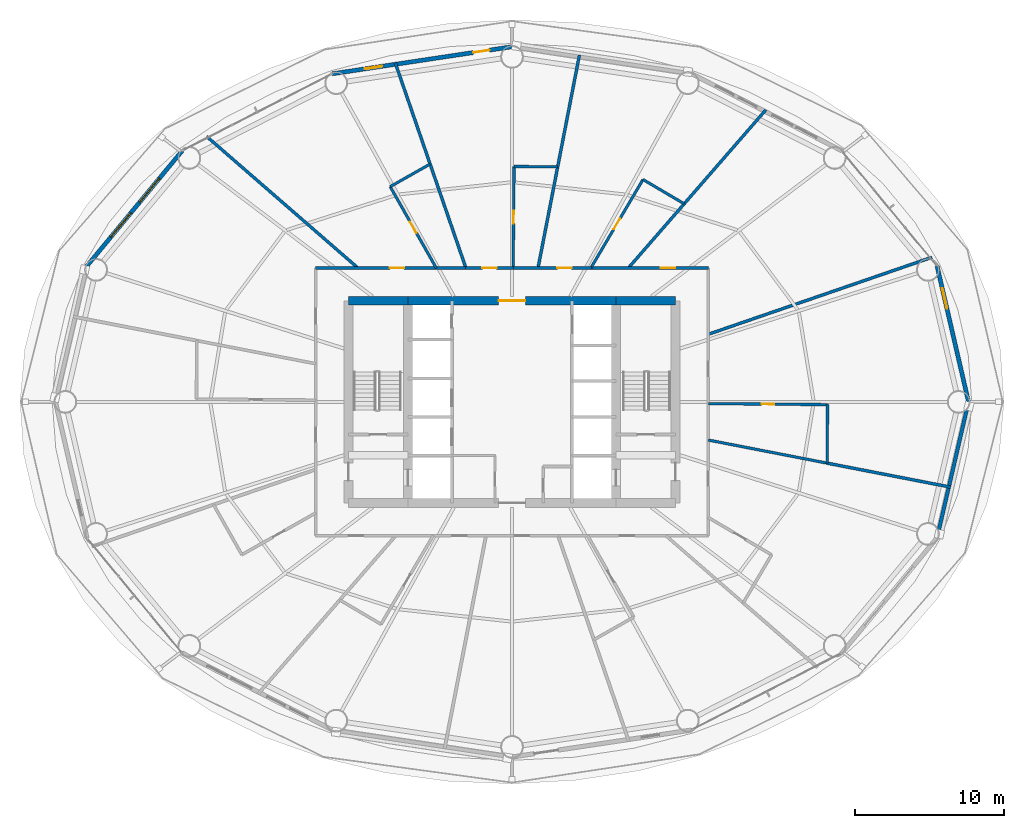
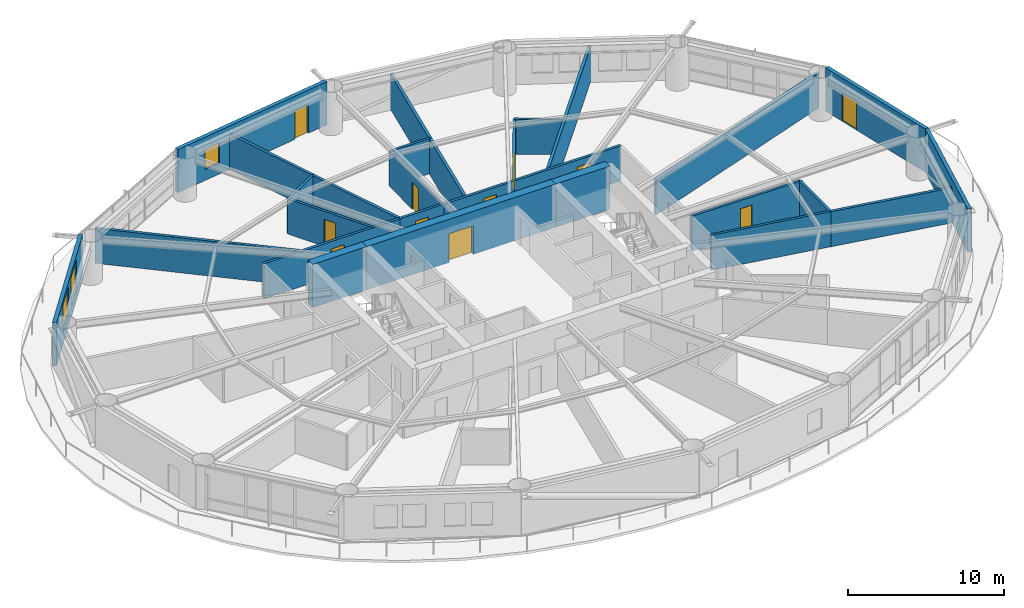
# One storey, part 22 of 26: 26 walls, 11 doors, 3 windows, 14 openings.
"""IFC4 building model written with IfcOpenShell, lengths in metres."""

from ifc_helpers import new_model, si_unit, direction, frame, frame_2d, origin, place, context, subcontext, project, spatial, rectangle, extrude, material, layer, layer_set, type_object, element, fill, save


model = new_model("IFC4")

# Units and contexts
model_context = context("Model", 3, precision=1e-05, world=origin(), true_north=direction((0.0, 1.0)))
body_context = subcontext(model_context, "Body", "Model", "MODEL_VIEW")
ifc_project = project(units=[si_unit("LENGTHUNIT", "METRE"), si_unit("AREAUNIT", "SQUARE_METRE"), si_unit("VOLUMEUNIT", "CUBIC_METRE"), si_unit("PLANEANGLEUNIT", "RADIAN"), si_unit("MASSUNIT", "GRAM", prefix="KILO")], contexts=[model_context])

# Site, building, storey
site_placement = place(None, origin())
site = spatial("IfcSite", under=ifc_project, at=site_placement, CompositionType="ELEMENT")
building_placement = place(site_placement, origin())
building = spatial("IfcBuilding", under=site, at=building_placement, Name="Sarneth Arch Tower", CompositionType="ELEMENT")
storey_placement = place(building_placement, frame((0.0, 0.0, 71.39990234375)))
storey = spatial("IfcBuildingStorey", under=building, at=storey_placement, Name="L17", CompositionType="ELEMENT", Elevation=71.39990234375)

# Wall
ifc_material_1 = material(Name="Concrete C60/75", Category="concrete")
ifc_layer_1 = layer(ifc_material_1, 0.60009765625)
ifc_layer_set_1 = layer_set([ifc_layer_1], Name="Concrete C60/75")
wall_type_1 = type_object("IfcWallType", Name="WALL-CORE-600", PredefinedType="SHEAR", material=ifc_layer_set_1)
wall_1_placement = place(storey_placement, frame((37.0, 48.800048828125, 0.0), z_axis=(0.0, 0.0, 1.0), x_axis=(1.0, 0.0, 0.0)))
element("IfcWall", 1, at=wall_1_placement, inside=storey, type_object=wall_type_1, Name="L17 Core shear wall N-W", PredefinedType="SHEAR", context=body_context, shape_type="SweptSolid", body=[
    extrude(rectangle(XDim=4.0, YDim=0.60009765625, at=frame_2d((2.0, 0.0))), origin(), (0.0, 0.0, 1.0), 3.380126953125),
])

# Wall, opening, door
wall_2_placement = place(storey_placement, frame((41.0, 48.800048828125, 0.0), z_axis=(0.0, 0.0, 1.0), x_axis=(1.0, 0.0, 0.0)))
wall_2 = element("IfcWall", 2, at=wall_2_placement, inside=storey, type_object=wall_type_1, Name="L17 Core shear wall N-M", PredefinedType="SHEAR", context=body_context, shape_type="SweptSolid", body=[
    extrude(rectangle(XDim=14.0, YDim=0.60009765625, at=frame_2d((7.0, 0.0))), origin(), (0.0, 0.0, 1.0), 3.380126953125),
])
opening_1_placement = place(wall_2_placement, frame((6.10009765625, 0.0, 0.0)))
opening_1 = element("IfcOpeningElement", 3, at=opening_1_placement, cuts=wall_2, Name="Opening FD-01", PredefinedType="OPENING", context=body_context, shape_type="SweptSolid", body=[
    extrude(rectangle(XDim=1.800048828125, YDim=2.25, at=frame_2d((0.89990234375, 1.125))), frame((0.0, 0.31005859375, 0.0), z_axis=(0.0, -1.0, 0.0), x_axis=(1.0, 0.0, 0.0)), (0.0, 0.0, 1.0), 0.6201171875),
])
ifc_material_2 = material(Name="Galvanised Steel S275 fire door set", Category="steel")
door_type_1 = type_object("IfcDoorType", Name="DR-FD90-1800", OperationType="DOUBLE_DOOR_SINGLE_SWING", PredefinedType="DOOR", material=ifc_material_2)
door_1_placement = place(opening_1_placement, origin())
door_1 = element("IfcDoor", 4, at=door_1_placement, inside=storey, type_object=door_type_1, Name="L17 Central lift lobby north door", OperationType="DOUBLE_DOOR_SINGLE_SWING", OverallHeight=2.25, OverallWidth=1.800048828125, PredefinedType="DOOR", context=body_context, shape_type="SweptSolid", body=[
    extrude(rectangle(XDim=1.800048828125, YDim=2.25, at=frame_2d((0.89990234375, 1.125))), frame((0.0, 0.02490234375, 0.0), z_axis=(0.0, -1.0, 0.0), x_axis=(1.0, 0.0, 0.0)), (0.0, 0.0, 1.0), 0.050048828125),
])
fill(opening_1, door_1)

# Wall
wall_3_placement = place(storey_placement, frame((55.0, 48.800048828125, 0.0), z_axis=(0.0, 0.0, 1.0), x_axis=(1.0, 0.0, 0.0)))
element("IfcWall", 5, at=wall_3_placement, inside=storey, type_object=wall_type_1, Name="L17 Core shear wall N-E", PredefinedType="SHEAR", context=body_context, shape_type="SweptSolid", body=[
    extrude(rectangle(XDim=4.0, YDim=0.60009765625, at=frame_2d((2.0, 0.0))), origin(), (0.0, 0.0, 1.0), 3.380126953125),
])

# Wall, opening, door
ifc_material_3 = material(Name="Double steel-stud corridor fire wall", Category="steel")
ifc_layer_2 = layer(ifc_material_3, 0.18994140625)
ifc_layer_set_2 = layer_set([ifc_layer_2], Name="Double steel-stud corridor fire wall")
wall_type_2 = type_object("IfcWallType", Name="WALL-CORR-190", PredefinedType="PARTITIONING", material=ifc_layer_set_2)
wall_4_placement = place(storey_placement, frame((53.264404296875, 51.0, 0.0), z_axis=(0.0, 0.0, 1.0), x_axis=(1.0, 0.0, 0.0)))
wall_4 = element("IfcWall", 6, at=wall_4_placement, inside=storey, type_object=wall_type_2, Name="L17 Interior partition W-L17-TP-001", PredefinedType="PARTITIONING", context=body_context, shape_type="SweptSolid", body=[
    extrude(rectangle(XDim=7.935546875, YDim=0.18994140625, at=frame_2d((3.9677734375, 0.0))), origin(), (0.0, 0.0, 1.0), 2.739990234375),
])
opening_2_placement = place(wall_4_placement, frame((4.726318359375, 0.0, 0.0)))
opening_2 = element("IfcOpeningElement", 7, at=opening_2_placement, cuts=wall_4, Name="Opening FD-08", PredefinedType="OPENING", context=body_context, shape_type="SweptSolid", body=[
    extrude(rectangle(XDim=1.0, YDim=2.199951171875, at=frame_2d((0.5, 1.10009765625))), frame((0.0, 0.10498046875, 0.0), z_axis=(0.0, -1.0, 0.0), x_axis=(1.0, 0.0, 0.0)), (0.0, 0.0, 1.0), 0.2099609375),
])
ifc_material_4 = material(Name="Hardwood timber acoustic fire door", Category="wood")
door_type_2 = type_object("IfcDoorType", Name="DR-FD60-1000", OperationType="SINGLE_SWING_LEFT", PredefinedType="DOOR", material=ifc_material_4)
door_2_placement = place(opening_2_placement, origin())
door_2 = element("IfcDoor", 8, at=door_2_placement, inside=storey, type_object=door_type_2, Name="L17 Interior door DR-L17-AMN-01", OperationType="SINGLE_SWING_LEFT", OverallHeight=2.199951171875, OverallWidth=1.0, PredefinedType="DOOR", context=body_context, shape_type="SweptSolid", body=[
    extrude(rectangle(XDim=1.0, YDim=2.199951171875, at=frame_2d((0.5, 1.10009765625))), frame((0.0, 0.02490234375, 0.0), z_axis=(0.0, -1.0, 0.0), x_axis=(1.0, 0.0, 0.0)), (0.0, 0.0, 1.0), 0.050048828125),
])
fill(opening_2, door_2)

wall_5_placement = place(storey_placement, frame((34.800048828125, 51.0, 0.0), z_axis=(0.0, 0.0, 1.0), x_axis=(1.0, 0.0, 0.0)))
wall_5 = element("IfcWall", 9, at=wall_5_placement, inside=storey, type_object=wall_type_2, Name="L17 Interior partition W-L17-TP-007", PredefinedType="PARTITIONING", context=body_context, shape_type="SweptSolid", body=[
    extrude(rectangle(XDim=10.134765625, YDim=0.18994140625, at=frame_2d((5.0673828125, 0.0))), origin(), (0.0, 0.0, 1.0), 2.739990234375),
])
opening_3_placement = place(wall_5_placement, frame((4.996337890625, 0.0, 0.0)))
opening_3 = element("IfcOpeningElement", 10, at=opening_3_placement, cuts=wall_5, Name="Opening FD-09", PredefinedType="OPENING", context=body_context, shape_type="SweptSolid", body=[
    extrude(rectangle(XDim=0.949951171875, YDim=2.14990234375, at=frame_2d((0.47509765625, 1.074951171875))), frame((0.0, 0.10498046875, 0.0), z_axis=(0.0, -1.0, 0.0), x_axis=(1.0, 0.0, 0.0)), (0.0, 0.0, 1.0), 0.2099609375),
])
ifc_material_5 = material(Name="Hardwood timber hotel entrance fire door", Category="wood")
door_type_3 = type_object("IfcDoorType", Name="DR-FD60-950", OperationType="SINGLE_SWING_RIGHT", PredefinedType="DOOR", material=ifc_material_5)
door_3_placement = place(opening_3_placement, origin())
door_3 = element("IfcDoor", 11, at=door_3_placement, inside=storey, type_object=door_type_3, Name="L17 Interior door DR-L17-KEY-04", OperationType="SINGLE_SWING_LEFT", OverallHeight=2.14990234375, OverallWidth=0.949951171875, PredefinedType="DOOR", context=body_context, shape_type="SweptSolid", body=[
    extrude(rectangle(XDim=0.949951171875, YDim=2.14990234375, at=frame_2d((0.47509765625, 1.074951171875))), frame((0.0, 0.02490234375, 0.0), z_axis=(0.0, -1.0, 0.0), x_axis=(1.0, 0.0, 0.0)), (0.0, 0.0, 1.0), 0.050048828125),
])
fill(opening_3, door_3)

wall_6_placement = place(storey_placement, frame((48.04638671875, 51.0, 0.0), z_axis=(0.0, 0.0, 1.0), x_axis=(1.0, 0.0, 0.0)))
wall_6 = element("IfcWall", 12, at=wall_6_placement, inside=storey, type_object=wall_type_2, Name="L17 Interior partition W-L17-TP-003", PredefinedType="PARTITIONING", context=body_context, shape_type="SweptSolid", body=[
    extrude(rectangle(XDim=5.2919921875, YDim=0.18994140625, at=frame_2d((2.64599609375, 0.0))), origin(), (0.0, 0.0, 1.0), 2.739990234375),
])
opening_4_placement = place(wall_6_placement, frame((3.006103515625, 0.0, 0.0)))
opening_4 = element("IfcOpeningElement", 13, at=opening_4_placement, cuts=wall_6, Name="Opening FD-09", PredefinedType="OPENING", context=body_context, shape_type="SweptSolid", body=[
    extrude(rectangle(XDim=0.949951171875, YDim=2.14990234375, at=frame_2d((0.47509765625, 1.074951171875))), frame((0.0, 0.10498046875, 0.0), z_axis=(0.0, -1.0, 0.0), x_axis=(1.0, 0.0, 0.0)), (0.0, 0.0, 1.0), 0.2099609375),
])
door_4_placement = place(opening_4_placement, origin())
door_4 = element("IfcDoor", 14, at=door_4_placement, inside=storey, type_object=door_type_3, Name="L17 Interior door DR-L17-KEY-02", OperationType="SINGLE_SWING_LEFT", OverallHeight=2.14990234375, OverallWidth=0.949951171875, PredefinedType="DOOR", context=body_context, shape_type="SweptSolid", body=[
    extrude(rectangle(XDim=0.949951171875, YDim=2.14990234375, at=frame_2d((0.47509765625, 1.074951171875))), frame((0.0, 0.02490234375, 0.0), z_axis=(0.0, -1.0, 0.0), x_axis=(1.0, 0.0, 0.0)), (0.0, 0.0, 1.0), 0.050048828125),
])
fill(opening_4, door_4)

wall_7_placement = place(storey_placement, frame((44.8671875, 51.0, 0.0), z_axis=(0.0, 0.0, 1.0), x_axis=(1.0, 0.0, 0.0)))
wall_7 = element("IfcWall", 15, at=wall_7_placement, inside=storey, type_object=wall_type_2, Name="L17 Interior partition W-L17-TP-005", PredefinedType="PARTITIONING", context=body_context, shape_type="SweptSolid", body=[
    extrude(rectangle(XDim=3.243408203125, YDim=0.18994140625, at=frame_2d((1.62158203125, 0.0))), origin(), (0.0, 0.0, 1.0), 2.739990234375),
])
opening_5_placement = place(wall_7_placement, frame((1.146484375, 0.0, 0.0)))
opening_5 = element("IfcOpeningElement", 16, at=opening_5_placement, cuts=wall_7, Name="Opening FD-09", PredefinedType="OPENING", context=body_context, shape_type="SweptSolid", body=[
    extrude(rectangle(XDim=0.949951171875, YDim=2.14990234375, at=frame_2d((0.47509765625, 1.074951171875))), frame((0.0, 0.10498046875, 0.0), z_axis=(0.0, -1.0, 0.0), x_axis=(1.0, 0.0, 0.0)), (0.0, 0.0, 1.0), 0.2099609375),
])
door_5_placement = place(opening_5_placement, origin())
door_5 = element("IfcDoor", 17, at=door_5_placement, inside=storey, type_object=door_type_3, Name="L17 Interior door DR-L17-KEY-03", OperationType="SINGLE_SWING_LEFT", OverallHeight=2.14990234375, OverallWidth=0.949951171875, PredefinedType="DOOR", context=body_context, shape_type="SweptSolid", body=[
    extrude(rectangle(XDim=0.949951171875, YDim=2.14990234375, at=frame_2d((0.47509765625, 1.074951171875))), frame((0.0, 0.02490234375, 0.0), z_axis=(0.0, -1.0, 0.0), x_axis=(1.0, 0.0, 0.0)), (0.0, 0.0, 1.0), 0.050048828125),
])
fill(opening_5, door_5)

# Wall
ifc_material_6 = material(Name="Extruded terracotta rainscreen on Concrete C40/50 backing", Category="masonry")
ifc_layer_3 = layer(ifc_material_6, 0.25)
ifc_layer_set_3 = layer_set([ifc_layer_3], Name="Extruded terracotta rainscreen on Concrete C40/50 backing")
wall_type_3 = type_object("IfcWallType", Name="WALL-EXT-SPAND-250", PredefinedType="SOLIDWALL", material=ifc_layer_set_3)
wall_8_placement = place(storey_placement, frame((76.5810546875, 32.861572265625, 0.0), z_axis=(0.0, 0.0, 1.0), x_axis=(0.225454452941, 0.974253709076, 0.0)))
element("IfcWall", 18, at=wall_8_placement, inside=storey, type_object=wall_type_3, Name="L17 Terracotta perimeter wall 16", PredefinedType="SOLIDWALL", context=body_context, shape_type="SweptSolid", body=[
    extrude(rectangle(XDim=9.3798828125, YDim=0.25, at=frame_2d((4.68994140625, 0.0))), origin(), (0.0, 0.0, 1.0), 3.380126953125),
])

# Wall, opening, door
ifc_material_7 = material(Name="Extruded terracotta rainscreen on Concrete C40/50 backing", Category="masonry")
ifc_layer_4 = layer(ifc_material_7, 0.280029296875)
ifc_layer_set_4 = layer_set([ifc_layer_4], Name="Extruded terracotta rainscreen on Concrete C40/50 backing")
wall_type_4 = type_object("IfcWallType", Name="WALL-EXT-TERRA-280", PredefinedType="SOLIDWALL", material=ifc_layer_set_4)
wall_9_placement = place(storey_placement, frame((78.69580078125, 42.0, 0.0), z_axis=(0.0, 0.0, 1.0), x_axis=(-0.225454452941, 0.974253709076, 0.0)))
wall_9 = element("IfcWall", 19, at=wall_9_placement, inside=storey, type_object=wall_type_4, Name="L17 Terracotta perimeter wall 01", PredefinedType="SOLIDWALL", context=body_context, shape_type="SweptSolid", body=[
    extrude(rectangle(XDim=9.3798828125, YDim=0.280029296875, at=frame_2d((4.68994140625, 0.0))), origin(), (0.0, 0.0, 1.0), 3.380126953125),
])
opening_6_placement = place(wall_9_placement, frame((6.435302734375, 0.0, 0.0)))
opening_6 = element("IfcOpeningElement", 20, at=opening_6_placement, cuts=wall_9, Name="Opening BD-2", PredefinedType="OPENING", context=body_context, shape_type="SweptSolid", body=[
    extrude(rectangle(XDim=1.39990234375, YDim=2.199951171875, at=frame_2d((0.699951171875, 1.10009765625))), frame((0.0, 0.14990234375, 0.0), z_axis=(0.0, -1.0, 0.0), x_axis=(1.0, 0.0, 0.0)), (0.0, 0.0, 1.0), 0.300048828125),
])
ifc_material_8 = material(Name="Thermally broken Aluminium 6063-T6 and laminated safety glass", Category="aluminium")
door_type_4 = type_object("IfcDoorType", Name="DR-BALC-GLZ-1400", OperationType="SINGLE_SWING_LEFT", PredefinedType="DOOR", material=ifc_material_8)
door_6_placement = place(opening_6_placement, origin())
door_6 = element("IfcDoor", 21, at=door_6_placement, inside=storey, type_object=door_type_4, Name="L17 Balcony glazed door 01", OperationType="SINGLE_SWING_LEFT", OverallHeight=2.199951171875, OverallWidth=1.39990234375, PredefinedType="DOOR", context=body_context, shape_type="SweptSolid", body=[
    extrude(rectangle(XDim=1.39990234375, YDim=2.199951171875, at=frame_2d((0.699951171875, 1.10009765625))), frame((0.0, 0.02490234375, 0.0), z_axis=(0.0, -1.0, 0.0), x_axis=(1.0, 0.0, 0.0)), (0.0, 0.0, 1.0), 0.050048828125),
])
fill(opening_6, door_6)

# Wall, openings, door, window
wall_10_placement = place(storey_placement, frame((48.0, 65.8798828125, 0.0), z_axis=(0.0, 0.0, 1.0), x_axis=(-0.988864835849, -0.148816452121, 0.0)))
wall_10 = element("IfcWall", 22, at=wall_10_placement, inside=storey, type_object=wall_type_4, Name="L17 Terracotta perimeter wall 05", PredefinedType="SOLIDWALL", context=body_context, shape_type="SweptSolid", body=[
    extrude(rectangle(XDim=12.2138671875, YDim=0.280029296875, at=frame_2d((6.10693359375, 0.0))), origin(), (0.0, 0.0, 1.0), 3.380126953125),
])
opening_7_placement = place(wall_10_placement, frame((1.53125, 0.0, 0.0)))
opening_7 = element("IfcOpeningElement", 23, at=opening_7_placement, cuts=wall_10, Name="Opening BD-3", PredefinedType="OPENING", context=body_context, shape_type="SweptSolid", body=[
    extrude(rectangle(XDim=1.10009765625, YDim=2.25, at=frame_2d((0.550048828125, 1.125))), frame((0.0, 0.14990234375, 0.0), z_axis=(0.0, -1.0, 0.0), x_axis=(1.0, 0.0, 0.0)), (0.0, 0.0, 1.0), 0.300048828125),
])
opening_8_placement = place(wall_10_placement, frame((8.813720703125, 0.0, 0.85009765625)))
opening_8 = element("IfcOpeningElement", 24, at=opening_8_placement, cuts=wall_10, Name="Opening W-10", PredefinedType="OPENING", context=body_context, shape_type="SweptSolid", body=[
    extrude(rectangle(XDim=1.199951171875, YDim=1.60009765625, at=frame_2d((0.60009765625, 0.800048828125))), frame((0.0, 0.14990234375, 0.0), z_axis=(0.0, -1.0, 0.0), x_axis=(1.0, 0.0, 0.0)), (0.0, 0.0, 1.0), 0.300048828125),
])
ifc_material_9 = material(Name="Thermally broken Aluminium 6063-T6 and laminated safety glass", Category="aluminium")
door_type_5 = type_object("IfcDoorType", Name="DR-BALC-GLZ-1100", OperationType="SINGLE_SWING_LEFT", PredefinedType="DOOR", material=ifc_material_9)
door_7_placement = place(opening_7_placement, origin())
door_7 = element("IfcDoor", 25, at=door_7_placement, inside=storey, type_object=door_type_5, Name="L17 Balcony glazed door 05", OperationType="SINGLE_SWING_LEFT", OverallHeight=2.25, OverallWidth=1.10009765625, PredefinedType="DOOR", context=body_context, shape_type="SweptSolid", body=[
    extrude(rectangle(XDim=1.10009765625, YDim=2.25, at=frame_2d((0.550048828125, 1.125))), frame((0.0, 0.02490234375, 0.0), z_axis=(0.0, -1.0, 0.0), x_axis=(1.0, 0.0, 0.0)), (0.0, 0.0, 1.0), 0.050048828125),
])
fill(opening_7, door_7)
ifc_material_10 = material(Name="Thermally broken Aluminium 6063-T6 and low-e laminated IGU", Category="aluminium")
window_type_1 = type_object("IfcWindowType", Name="WIN-TWR-1200x1600", PartitioningType="SINGLE_PANEL", PredefinedType="WINDOW", material=ifc_material_10)
window_1_placement = place(opening_8_placement, origin())
window_1 = element("IfcWindow", 26, at=window_1_placement, inside=storey, type_object=window_type_1, Name="L17 Exterior window 05A", OverallHeight=1.60009765625, OverallWidth=1.199951171875, PartitioningType="SINGLE_PANEL", PredefinedType="WINDOW", context=body_context, shape_type="SweptSolid", body=[
    extrude(rectangle(XDim=1.199951171875, YDim=1.60009765625, at=frame_2d((0.60009765625, 0.800048828125))), frame((0.0, 0.030029296875, 0.0), z_axis=(0.0, -1.0, 0.0), x_axis=(1.0, 0.0, 0.0)), (0.0, 0.0, 1.0), 0.06005859375),
])
fill(opening_8, window_1)

# Wall, openings, windows
wall_11_placement = place(storey_placement, frame((25.825927734375, 58.8857421875, 0.0), z_axis=(0.0, 0.0, 1.0), x_axis=(-0.637296809613, -0.770618437657, 0.0)))
wall_11 = element("IfcWall", 27, at=wall_11_placement, inside=storey, type_object=wall_type_4, Name="L17 Terracotta perimeter wall 07", PredefinedType="SOLIDWALL", context=body_context, shape_type="SweptSolid", body=[
    extrude(rectangle(XDim=10.053466796875, YDim=0.280029296875, at=frame_2d((5.02685546875, 0.0))), origin(), (0.0, 0.0, 1.0), 3.380126953125),
])
opening_9_placement = place(wall_11_placement, frame((2.39794921875, 0.0, 0.85009765625)))
opening_9 = element("IfcOpeningElement", 28, at=opening_9_placement, cuts=wall_11, Name="Opening W-03", PredefinedType="OPENING", context=body_context, shape_type="SweptSolid", body=[
    extrude(rectangle(XDim=2.10009765625, YDim=2.199951171875, at=frame_2d((1.050048828125, 1.10009765625))), frame((0.0, 0.14990234375, 0.0), z_axis=(0.0, -1.0, 0.0), x_axis=(1.0, 0.0, 0.0)), (0.0, 0.0, 1.0), 0.300048828125),
])
opening_10_placement = place(wall_11_placement, frame((5.4296875, 0.0, 0.85009765625)))
opening_10 = element("IfcOpeningElement", 29, at=opening_10_placement, cuts=wall_11, Name="Opening W-03", PredefinedType="OPENING", context=body_context, shape_type="SweptSolid", body=[
    extrude(rectangle(XDim=2.10009765625, YDim=2.199951171875, at=frame_2d((1.050048828125, 1.10009765625))), frame((0.0, 0.14990234375, 0.0), z_axis=(0.0, -1.0, 0.0), x_axis=(1.0, 0.0, 0.0)), (0.0, 0.0, 1.0), 0.300048828125),
])
ifc_material_11 = material(Name="Thermally broken Aluminium 6063-T6 and low-e laminated IGU", Category="aluminium")
window_type_2 = type_object("IfcWindowType", Name="WIN-TWR-2100x2200", PartitioningType="DOUBLE_PANEL_VERTICAL", PredefinedType="WINDOW", material=ifc_material_11)
window_2_placement = place(opening_9_placement, origin())
window_2 = element("IfcWindow", 30, at=window_2_placement, inside=storey, type_object=window_type_2, Name="L17 Exterior window 07A", OverallHeight=2.199951171875, OverallWidth=2.10009765625, PartitioningType="SINGLE_PANEL", PredefinedType="WINDOW", context=body_context, shape_type="SweptSolid", body=[
    extrude(rectangle(XDim=2.10009765625, YDim=2.199951171875, at=frame_2d((1.050048828125, 1.10009765625))), frame((0.0, 0.030029296875, 0.0), z_axis=(0.0, -1.0, 0.0), x_axis=(1.0, 0.0, 0.0)), (0.0, 0.0, 1.0), 0.06005859375),
])
fill(opening_9, window_2)
window_3_placement = place(opening_10_placement, origin())
window_3 = element("IfcWindow", 31, at=window_3_placement, inside=storey, type_object=window_type_2, Name="L17 Exterior window 07B", OverallHeight=2.199951171875, OverallWidth=2.10009765625, PartitioningType="SINGLE_PANEL", PredefinedType="WINDOW", context=body_context, shape_type="SweptSolid", body=[
    extrude(rectangle(XDim=2.10009765625, YDim=2.199951171875, at=frame_2d((1.050048828125, 1.10009765625))), frame((0.0, 0.030029296875, 0.0), z_axis=(0.0, -1.0, 0.0), x_axis=(1.0, 0.0, 0.0)), (0.0, 0.0, 1.0), 0.06005859375),
])
fill(opening_10, window_3)

# Wall
ifc_material_12 = material(Name="Moisture-resistant plumbing chase wall", Category="gypsum")
ifc_layer_5 = layer(ifc_material_12, 0.179931640625)
ifc_layer_set_5 = layer_set([ifc_layer_5], Name="Moisture-resistant plumbing chase wall")
wall_type_5 = type_object("IfcWallType", Name="WALL-PLUMB-180", PredefinedType="PLUMBINGWALL", material=ifc_layer_set_5)
wall_12_placement = place(storey_placement, frame((69.185302734375, 37.882080078125, 0.0), z_axis=(0.0, 0.0, 1.0), x_axis=(-0.981631630513, 0.190786115787, 0.0)))
element("IfcWall", 32, at=wall_12_placement, inside=storey, type_object=wall_type_5, Name="L17 Interior partition W-L17-TP-062", PredefinedType="PLUMBINGWALL", context=body_context, shape_type="SweptSolid", body=[
    extrude(rectangle(XDim=8.134765625, YDim=0.179931640625, at=frame_2d((4.0673828125, 0.0))), origin(), (0.0, 0.0, 1.0), 2.739990234375),
])

# Wall, opening, door
wall_13_placement = place(storey_placement, frame((61.199951171875, 41.884765625, 0.0), z_axis=(0.0, 0.0, 1.0), x_axis=(0.999961832732, -0.008736880358, 0.0)))
wall_13 = element("IfcWall", 33, at=wall_13_placement, inside=storey, type_object=wall_type_5, Name="L17 Interior partition W-L17-TP-063", PredefinedType="PLUMBINGWALL", context=body_context, shape_type="SweptSolid", body=[
    extrude(rectangle(XDim=8.019775390625, YDim=0.179931640625, at=frame_2d((4.009765625, 0.0))), origin(), (0.0, 0.0, 1.0), 2.739990234375),
])
opening_11_placement = place(wall_13_placement, frame((3.5849609375, 0.0, 0.0)))
opening_11 = element("IfcOpeningElement", 34, at=opening_11_placement, cuts=wall_13, Name="Opening ID-02", PredefinedType="OPENING", context=body_context, shape_type="SweptSolid", body=[
    extrude(rectangle(XDim=0.85009765625, YDim=2.10009765625, at=frame_2d((0.425048828125, 1.050048828125))), frame((0.0, 0.099853515625, 0.0), z_axis=(0.0, -1.0, 0.0), x_axis=(1.0, 0.0, 0.0)), (0.0, 0.0, 1.0), 0.199951171875),
])
ifc_material_13 = material(Name="Moisture-resistant bathroom timber door", Category="wood")
door_type_6 = type_object("IfcDoorType", Name="DR-INT-850", OperationType="SINGLE_SWING_RIGHT", PredefinedType="DOOR", material=ifc_material_13)
door_8_placement = place(opening_11_placement, origin())
door_8 = element("IfcDoor", 35, at=door_8_placement, inside=storey, type_object=door_type_6, Name="L17 Interior door DR-L17-ENS-12", OperationType="SINGLE_SWING_LEFT", OverallHeight=2.10009765625, OverallWidth=0.85009765625, PredefinedType="DOOR", context=body_context, shape_type="SweptSolid", body=[
    extrude(rectangle(XDim=0.85009765625, YDim=2.10009765625, at=frame_2d((0.425048828125, 1.050048828125))), frame((0.0, 0.02490234375, 0.0), z_axis=(0.0, -1.0, 0.0), x_axis=(1.0, 0.0, 0.0)), (0.0, 0.0, 1.0), 0.050048828125),
])
fill(opening_11, door_8)

wall_14_placement = place(storey_placement, frame((56.807373046875, 56.951904296875, 0.0), z_axis=(0.0, 0.0, 1.0), x_axis=(-0.507529744585, -0.861634236995, 0.0)))
wall_14 = element("IfcWall", 36, at=wall_14_placement, inside=storey, type_object=wall_type_5, Name="L17 Interior partition W-L17-TP-030", PredefinedType="PLUMBINGWALL", context=body_context, shape_type="SweptSolid", body=[
    extrude(rectangle(XDim=6.90771484375, YDim=0.179931640625, at=frame_2d((3.453857421875, 0.0))), origin(), (0.0, 0.0, 1.0), 2.739990234375),
])
opening_12_placement = place(wall_14_placement, frame((3.02880859375, 0.0, 0.0)))
opening_12 = element("IfcOpeningElement", 37, at=opening_12_placement, cuts=wall_14, Name="Opening ID-02", PredefinedType="OPENING", context=body_context, shape_type="SweptSolid", body=[
    extrude(rectangle(XDim=0.85009765625, YDim=2.10009765625, at=frame_2d((0.425048828125, 1.050048828125))), frame((0.0, 0.099853515625, 0.0), z_axis=(0.0, -1.0, 0.0), x_axis=(1.0, 0.0, 0.0)), (0.0, 0.0, 1.0), 0.199951171875),
])
door_9_placement = place(opening_12_placement, origin())
door_9 = element("IfcDoor", 38, at=door_9_placement, inside=storey, type_object=door_type_6, Name="L17 Interior door DR-L17-ENS-02", OperationType="SINGLE_SWING_LEFT", OverallHeight=2.10009765625, OverallWidth=0.85009765625, PredefinedType="DOOR", context=body_context, shape_type="SweptSolid", body=[
    extrude(rectangle(XDim=0.85009765625, YDim=2.10009765625, at=frame_2d((0.425048828125, 1.050048828125))), frame((0.0, 0.02490234375, 0.0), z_axis=(0.0, -1.0, 0.0), x_axis=(1.0, 0.0, 0.0)), (0.0, 0.0, 1.0), 0.050048828125),
])
fill(opening_12, door_9)

wall_15_placement = place(storey_placement, frame((48.13818359375, 57.830322265625, 0.0), z_axis=(0.0, 0.0, 1.0), x_axis=(-0.008721118088, -0.999961970327, 0.0)))
wall_15 = element("IfcWall", 39, at=wall_15_placement, inside=storey, type_object=wall_type_5, Name="L17 Interior partition W-L17-TP-034", PredefinedType="PLUMBINGWALL", context=body_context, shape_type="SweptSolid", body=[
    extrude(rectangle(XDim=6.83056640625, YDim=0.179931640625, at=frame_2d((3.415283203125, 0.0))), origin(), (0.0, 0.0, 1.0), 2.739990234375),
])
opening_13_placement = place(wall_15_placement, frame((2.990234375, 0.0, 0.0)))
opening_13 = element("IfcOpeningElement", 40, at=opening_13_placement, cuts=wall_15, Name="Opening ID-02", PredefinedType="OPENING", context=body_context, shape_type="SweptSolid", body=[
    extrude(rectangle(XDim=0.85009765625, YDim=2.10009765625, at=frame_2d((0.425048828125, 1.050048828125))), frame((0.0, 0.099853515625, 0.0), z_axis=(0.0, -1.0, 0.0), x_axis=(1.0, 0.0, 0.0)), (0.0, 0.0, 1.0), 0.199951171875),
])
door_10_placement = place(opening_13_placement, origin())
door_10 = element("IfcDoor", 41, at=door_10_placement, inside=storey, type_object=door_type_6, Name="L17 Interior door DR-L17-ENS-03", OperationType="SINGLE_SWING_LEFT", OverallHeight=2.10009765625, OverallWidth=0.85009765625, PredefinedType="DOOR", context=body_context, shape_type="SweptSolid", body=[
    extrude(rectangle(XDim=0.85009765625, YDim=2.10009765625, at=frame_2d((0.425048828125, 1.050048828125))), frame((0.0, 0.02490234375, 0.0), z_axis=(0.0, -1.0, 0.0), x_axis=(1.0, 0.0, 0.0)), (0.0, 0.0, 1.0), 0.050048828125),
])
fill(opening_13, door_10)

wall_16_placement = place(storey_placement, frame((39.811279296875, 56.473388671875, 0.0), z_axis=(0.0, 0.0, 1.0), x_axis=(0.492421798109, -0.870356692826, 0.0)))
wall_16 = element("IfcWall", 42, at=wall_16_placement, inside=storey, type_object=wall_type_5, Name="L17 Interior partition W-L17-TP-038", PredefinedType="PLUMBINGWALL", context=body_context, shape_type="SweptSolid", body=[
    extrude(rectangle(XDim=6.28857421875, YDim=0.179931640625, at=frame_2d((3.144287109375, 0.0))), origin(), (0.0, 0.0, 1.0), 2.739990234375),
])
opening_14_placement = place(wall_16_placement, frame((2.719482421875, 0.0, 0.0)))
opening_14 = element("IfcOpeningElement", 43, at=opening_14_placement, cuts=wall_16, Name="Opening ID-02", PredefinedType="OPENING", context=body_context, shape_type="SweptSolid", body=[
    extrude(rectangle(XDim=0.85009765625, YDim=2.10009765625, at=frame_2d((0.425048828125, 1.050048828125))), frame((0.0, 0.099853515625, 0.0), z_axis=(0.0, -1.0, 0.0), x_axis=(1.0, 0.0, 0.0)), (0.0, 0.0, 1.0), 0.199951171875),
])
door_11_placement = place(opening_14_placement, origin())
door_11 = element("IfcDoor", 44, at=door_11_placement, inside=storey, type_object=door_type_6, Name="L17 Interior door DR-L17-ENS-04", OperationType="SINGLE_SWING_LEFT", OverallHeight=2.10009765625, OverallWidth=0.85009765625, PredefinedType="DOOR", context=body_context, shape_type="SweptSolid", body=[
    extrude(rectangle(XDim=0.85009765625, YDim=2.10009765625, at=frame_2d((0.425048828125, 1.050048828125))), frame((0.0, 0.02490234375, 0.0), z_axis=(0.0, -1.0, 0.0), x_axis=(1.0, 0.0, 0.0)), (0.0, 0.0, 1.0), 0.050048828125),
])
fill(opening_14, door_11)

# Walls
wall_17_placement = place(storey_placement, frame((69.219482421875, 41.814697265625, 0.0), z_axis=(0.0, 0.0, 1.0), x_axis=(-0.008691005249, -0.999962232501, 0.0)))
element("IfcWall", 45, at=wall_17_placement, inside=storey, type_object=wall_type_5, Name="L17 Interior partition W-L17-TP-064", PredefinedType="PLUMBINGWALL", context=body_context, shape_type="SweptSolid", body=[
    extrude(rectangle(XDim=3.932861328125, YDim=0.179931640625, at=frame_2d((1.96630859375, 0.0))), origin(), (0.0, 0.0, 1.0), 2.739990234375),
])
wall_18_placement = place(storey_placement, frame((59.57861328125, 55.319580078125, 0.0), z_axis=(0.0, 0.0, 1.0), x_axis=(-0.861637458593, 0.507524275232, 0.0)))
element("IfcWall", 46, at=wall_18_placement, inside=storey, type_object=wall_type_5, Name="L17 Interior partition W-L17-TP-029", PredefinedType="PLUMBINGWALL", context=body_context, shape_type="SweptSolid", body=[
    extrude(rectangle(XDim=3.21630859375, YDim=0.179931640625, at=frame_2d((1.608154296875, 0.0))), origin(), (0.0, 0.0, 1.0), 2.739990234375),
])
wall_19_placement = place(storey_placement, frame((42.493896484375, 57.9912109375, 0.0), z_axis=(0.0, 0.0, 1.0), x_axis=(-0.87034589465, -0.492440883422, 0.0)))
element("IfcWall", 47, at=wall_19_placement, inside=storey, type_object=wall_type_5, Name="L17 Interior partition W-L17-TP-037", PredefinedType="PLUMBINGWALL", context=body_context, shape_type="SweptSolid", body=[
    extrude(rectangle(XDim=3.082275390625, YDim=0.179931640625, at=frame_2d((1.541015625, 0.0))), origin(), (0.0, 0.0, 1.0), 2.739990234375),
])
wall_20_placement = place(storey_placement, frame((51.072021484375, 57.8046875, 0.0), z_axis=(0.0, 0.0, 1.0), x_axis=(-0.999961829169, 0.00873728818, 0.0)))
element("IfcWall", 48, at=wall_20_placement, inside=storey, type_object=wall_type_5, Name="L17 Interior partition W-L17-TP-033", PredefinedType="PLUMBINGWALL", context=body_context, shape_type="SweptSolid", body=[
    extrude(rectangle(XDim=2.933837890625, YDim=0.179931640625, at=frame_2d((1.466796875, 0.0))), origin(), (0.0, 0.0, 1.0), 2.739990234375),
])
ifc_material_14 = material(Name="Double steel-stud acoustic drywall", Category="steel")
ifc_layer_6 = layer(ifc_material_14, 0.199951171875)
ifc_layer_set_6 = layer_set([ifc_layer_6], Name="Double steel-stud acoustic drywall")
wall_type_6 = type_object("IfcWallType", Name="WALL-UNIT-200", PredefinedType="PARTITIONING", material=ifc_layer_set_6)
wall_21_placement = place(storey_placement, frame((61.199951171875, 46.545166015625, 0.0), z_axis=(0.0, 0.0, 1.0), x_axis=(0.945518845989, 0.325567369186, 0.0)))
element("IfcWall", 49, at=wall_21_placement, inside=storey, type_object=wall_type_6, Name="L17 Interior partition W-L17-TP-028", PredefinedType="PARTITIONING", context=body_context, shape_type="SweptSolid", body=[
    extrude(rectangle(XDim=15.908935546875, YDim=0.199951171875, at=frame_2d((7.95458984375, 0.0))), origin(), (0.0, 0.0, 1.0), 2.739990234375),
])
wall_22_placement = place(storey_placement, frame((37.646728515625, 51.0, 0.0), z_axis=(0.0, 0.0, 1.0), x_axis=(-0.754713815472, 0.656054156862, 0.0)))
element("IfcWall", 50, at=wall_22_placement, inside=storey, type_object=wall_type_6, Name="L17 Interior partition W-L17-TP-039", PredefinedType="PARTITIONING", context=body_context, shape_type="SweptSolid", body=[
    extrude(rectangle(XDim=13.491455078125, YDim=0.199951171875, at=frame_2d((6.74560546875, 0.0))), origin(), (0.0, 0.0, 1.0), 2.739990234375),
])
wall_23_placement = place(storey_placement, frame((77.4921875, 36.267333984375, 0.0), z_axis=(0.0, 0.0, 1.0), x_axis=(-0.981626048747, 0.190814832812, 0.0)))
element("IfcWall", 51, at=wall_23_placement, inside=storey, type_object=wall_type_6, Name="L17 Interior partition W-L17-TP-061", PredefinedType="PARTITIONING", context=body_context, shape_type="SweptSolid", body=[
    extrude(rectangle(XDim=8.46240234375, YDim=0.199951171875, at=frame_2d((4.231201171875, 0.0))), origin(), (0.0, 0.0, 1.0), 2.739990234375),
])
wall_24_placement = place(storey_placement, frame((55.823486328125, 51.0, 0.0), z_axis=(0.0, 0.0, 1.0), x_axis=(0.656066321773, 0.754703240641, 0.0)))
element("IfcWall", 52, at=wall_24_placement, inside=storey, type_object=wall_type_6, Name="L17 Interior partition W-L17-TP-026", PredefinedType="PARTITIONING", context=body_context, shape_type="SweptSolid", body=[
    extrude(rectangle(XDim=14.091064453125, YDim=0.199951171875, at=frame_2d((7.04541015625, 0.0))), origin(), (0.0, 0.0, 1.0), 2.739990234375),
])
wall_25_placement = place(storey_placement, frame((49.749267578125, 51.0, 0.0), z_axis=(0.0, 0.0, 1.0), x_axis=(0.190815454206, 0.981625927956, 0.0)))
element("IfcWall", 53, at=wall_25_placement, inside=storey, type_object=wall_type_6, Name="L17 Interior partition W-L17-TP-031", PredefinedType="PARTITIONING", context=body_context, shape_type="SweptSolid", body=[
    extrude(rectangle(XDim=14.587158203125, YDim=0.199951171875, at=frame_2d((7.29345703125, 0.0))), origin(), (0.0, 0.0, 1.0), 2.739990234375),
])
wall_26_placement = place(storey_placement, frame((44.901123046875, 51.0, 0.0), z_axis=(0.0, 0.0, 1.0), x_axis=(-0.325569992405, 0.945517942741, 0.0)))
element("IfcWall", 54, at=wall_26_placement, inside=storey, type_object=wall_type_6, Name="L17 Interior partition W-L17-TP-036", PredefinedType="PARTITIONING", context=body_context, shape_type="SweptSolid", body=[
    extrude(rectangle(XDim=14.613037109375, YDim=0.199951171875, at=frame_2d((7.306640625, 0.0))), origin(), (0.0, 0.0, 1.0), 2.739990234375),
])

save(model, "model.ifc")
